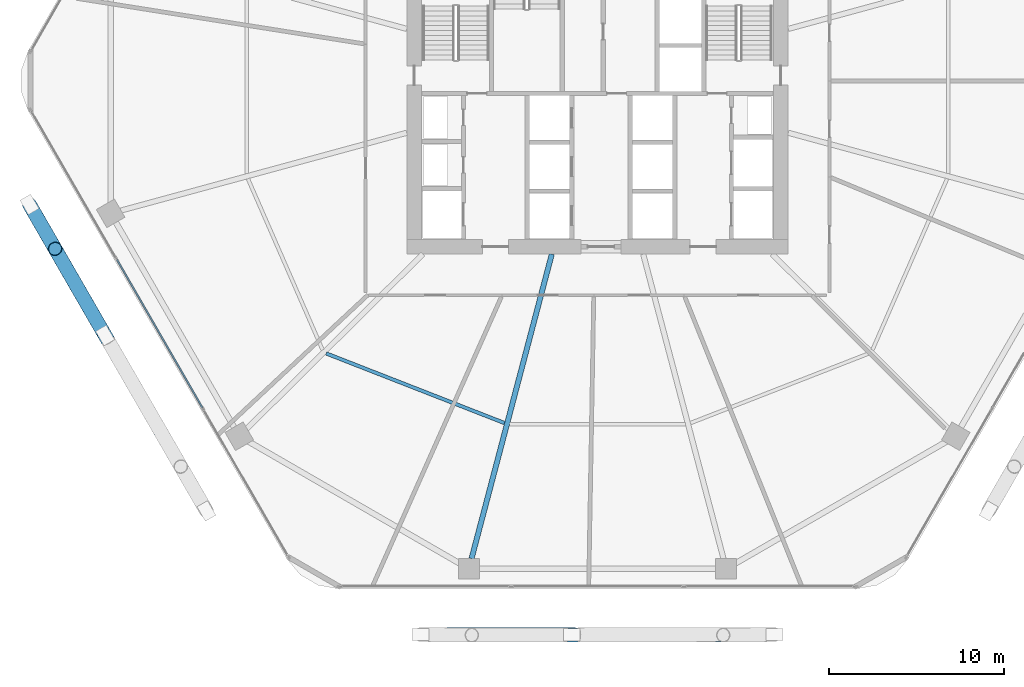
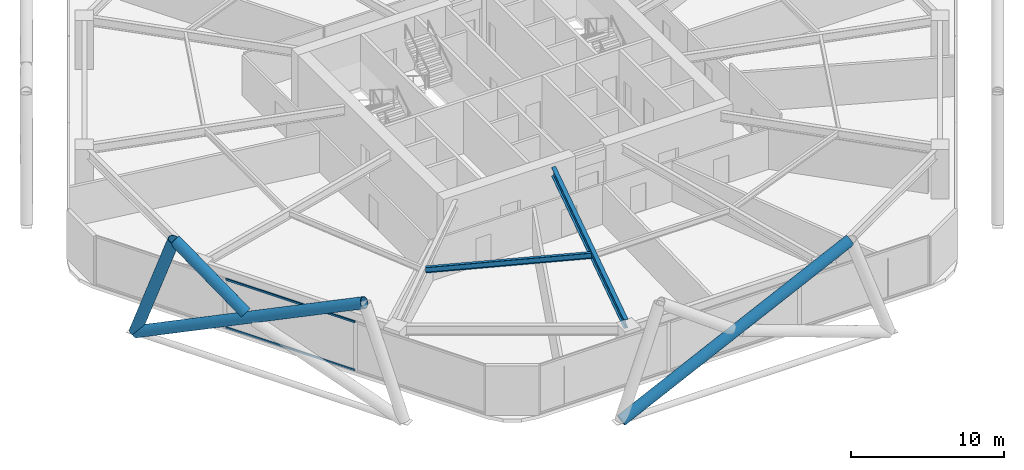
# One storey, part 4 of 28: 6 members, 2 beams, 1 element without a shape of its own.
"""IFC4 building model written with IfcOpenShell, lengths in metres."""

from ifc_helpers import new_model, si_unit, direction, frame, origin, origin_2d, place, context, subcontext, project, spatial, hollow_rectangle, hollow_circle, i_section, extrude, material, material_profile, profile_set, type_object, element, aggregate, save


model = new_model("IFC4")

# Units and contexts
model_context = context("Model", 3, precision=1e-05, world=origin(), true_north=direction((0.0, 1.0)))
body_context = subcontext(model_context, "Body", "Model", "MODEL_VIEW")
ifc_project = project(units=[si_unit("LENGTHUNIT", "METRE"), si_unit("AREAUNIT", "SQUARE_METRE"), si_unit("VOLUMEUNIT", "CUBIC_METRE"), si_unit("PLANEANGLEUNIT", "RADIAN"), si_unit("MASSUNIT", "GRAM", prefix="KILO")], contexts=[model_context])

# Site, building, storey
site_placement = place(None, origin())
site = spatial("IfcSite", under=ifc_project, at=site_placement, CompositionType="ELEMENT")
building_placement = place(site_placement, origin())
building = spatial("IfcBuilding", under=site, at=building_placement, Name="Zuhravey Tower", CompositionType="ELEMENT")
storey_placement = place(building_placement, frame((0.0, 0.0, 75.0)))
storey = spatial("IfcBuildingStorey", under=building, at=storey_placement, Name="L18", CompositionType="ELEMENT", Elevation=75.0)

# Curtain wall, members
ifc_material_1 = material(Name="Thermally broken anodised aluminium", Category="aluminium")
curtain_wall_type = type_object("IfcCurtainWallType", Name="School Low-E Unitised Curtain Wall CW1", PredefinedType="NOTDEFINED", material=ifc_material_1)
curtain_wall_placement = place(storey_placement, origin())
curtain_wall = element("IfcCurtainWall", 1, at=curtain_wall_placement, inside=storey, type_object=curtain_wall_type, Name="L18 CW1 CW-L18-F4-1", PredefinedType="NOTDEFINED")
ifc_material_2 = material(Name="Anodised aluminium", Category="aluminium")
ifc_material_profile_1 = material_profile(ifc_material_2, hollow_rectangle(XDim=0.090087890625, YDim=0.14990234375, WallThickness=0.0048828125, at=origin_2d()), Name="ALU-RHS-90x150x5")
ifc_profile_set_1 = profile_set([ifc_material_profile_1], Name="Anodised aluminium")
member_type_1 = type_object("IfcMemberType", Name="Curtain-Wall Transom 90x150", PredefinedType="USERDEFINED", material=ifc_profile_set_1)
member_1_placement = place(storey_placement, frame((13.365234375, 13.287353515625, 0.044921875), z_axis=(-0.499990498062, 0.866030889661, 0.0), x_axis=(-0.866030889661, -0.499990498062, 0.0)))
member_1 = element("IfcMember", 2, at=member_1_placement, type_object=member_type_1, Name="CW1 transom 2.1", ObjectType="TRANSOM", PredefinedType="USERDEFINED", context=body_context, shape_type="SweptSolid", body=[
    extrude(hollow_rectangle(XDim=0.090087890625, YDim=0.14990234375, WallThickness=0.0048828125, at=origin_2d()), origin(), (0.0, 0.0, 1.0), 9.776611328125),
])
member_2_placement = place(storey_placement, frame((13.365234375, 13.287353515625, 3.875), z_axis=(-0.499990498062, 0.866030889661, 0.0), x_axis=(-0.866030889661, -0.499990498062, 0.0)))
member_2 = element("IfcMember", 3, at=member_2_placement, type_object=member_type_1, Name="CW1 transom 2.2", ObjectType="TRANSOM", PredefinedType="USERDEFINED", context=body_context, shape_type="SweptSolid", body=[
    extrude(hollow_rectangle(XDim=0.090087890625, YDim=0.14990234375, WallThickness=0.0048828125, at=origin_2d()), origin(), (0.0, 0.0, 1.0), 9.776611328125),
])
aggregate(curtain_wall, [member_1, member_2])

# Members
ifc_material_3 = material(Name="Steel SM460", Category="steel")
ifc_material_profile_2 = material_profile(ifc_material_3, hollow_circle(Radius=0.406494140625, WallThickness=0.035888671875, at=origin_2d()), Name="CHS-812.8x36")
ifc_profile_set_2 = profile_set([ifc_material_profile_2], Name="Steel SM460")
member_type_2 = type_object("IfcMemberType", Name="Exoskeleton Zone 1 Diagrid CHS813x36", PredefinedType="BRACE", material=ifc_profile_set_2)
member_3_placement = place(storey_placement, frame((3.466552734375, 24.912841796875, -0.471923828125), z_axis=(0.165307317227, -0.286358046605, 0.943754501984), x_axis=(0.866053660865, 0.499951054106, 0.0)))
element("IfcMember", 4, at=member_3_placement, inside=storey, type_object=member_type_2, Name="L18 Face 4 Diagrid Brace 1", PredefinedType="BRACE", context=body_context, shape_type="SweptSolid", body=[
    extrude(hollow_circle(Radius=0.406494140625, WallThickness=0.035888671875, at=origin_2d()), origin(), (0.0, 0.0, 1.0), 8.85400390625),
])
member_4_placement = place(storey_placement, frame((3.4853515625, 24.880126953125, -0.471923828125), z_axis=(0.449932637588, -0.779312332372, 0.436156978902), x_axis=(0.866027110715, 0.499997043497, 0.0)))
element("IfcMember", 5, at=member_4_placement, inside=storey, type_object=member_type_2, Name="L18 Face 4 Diagrid Brace 2", PredefinedType="BRACE", context=body_context, shape_type="SweptSolid", body=[
    extrude(hollow_circle(Radius=0.406494140625, WallThickness=0.035888671875, at=origin_2d()), origin(), (0.0, 0.0, 1.0), 19.158203125),
])
member_5_placement = place(storey_placement, frame((7.635498046875, 17.69189453125, 3.940673828125), z_axis=(-0.403092056741, 0.69816190232, 0.59168129254), x_axis=(-0.866021056018, -0.500007530476, 0.0)))
element("IfcMember", 6, at=member_5_placement, inside=storey, type_object=member_type_2, Name="L18 Face 4 Split Diagrid Brace 3B", PredefinedType="BRACE", context=body_context, shape_type="SweptSolid", body=[
    extrude(hollow_circle(Radius=0.406494140625, WallThickness=0.035888671875, at=origin_2d()), origin(), (0.0, 0.0, 1.0), 6.6513671875),
])
member_6_placement = place(storey_placement, frame((25.90869140625, 0.281494140625, -0.471923828125), z_axis=(0.899868478448, -0.001567448705, 0.4361585315), x_axis=(0.001741861577, 0.999998482958, 0.0)))
element("IfcMember", 7, at=member_6_placement, inside=storey, type_object=member_type_2, Name="L18 Face 5 Diagrid Brace 2", PredefinedType="BRACE", context=body_context, shape_type="SweptSolid", body=[
    extrude(hollow_circle(Radius=0.406494140625, WallThickness=0.035888671875, at=origin_2d()), origin(), (0.0, 0.0, 1.0), 19.157958984375),
])

# Beams
ifc_material_4 = material(Name="Steel SM355", Category="steel")
ifc_material_profile_3 = material_profile(ifc_material_4, i_section(OverallWidth=0.300048828125, OverallDepth=0.699951171875, WebThickness=0.012939453125, FlangeThickness=0.02392578125, at=origin_2d()), Name="H-700x300x13x24")
ifc_profile_set_3 = profile_set([ifc_material_profile_3], Name="Steel SM355")
beam_type_1 = type_object("IfcBeamType", Name="Radial Primary Girder H700x300", PredefinedType="BEAM", material=ifc_profile_set_3)
beam_1_placement = place(storey_placement, frame((33.382080078125, 22.072021484375, 3.570068359375), z_axis=(-0.254989720435, -0.966943763862, 0.0), x_axis=(0.966943763862, -0.254989720435, 0.0)))
element("IfcBeam", 8, at=beam_1_placement, inside=storey, type_object=beam_type_1, Name="L18 RG1 BM-L18-RAD-09", PredefinedType="BEAM", context=body_context, shape_type="SweptSolid", body=[
    extrude(i_section(OverallWidth=0.300048828125, OverallDepth=0.699951171875, WebThickness=0.012939453125, FlangeThickness=0.02392578125, at=origin_2d()), origin(), (0.0, 0.0, 1.0), 18.03369140625),
])
ifc_material_profile_4 = material_profile(ifc_material_4, i_section(OverallWidth=0.199951171875, OverallDepth=0.449951171875, WebThickness=0.009033203125, FlangeThickness=0.013916015625, at=origin_2d()), Name="H-450x200x9x14")
ifc_profile_set_4 = profile_set([ifc_material_profile_4], Name="Steel SM355")
beam_type_2 = type_object("IfcBeamType", Name="Secondary Floor Joist H450x200", PredefinedType="JOIST", material=ifc_profile_set_4)
beam_2_placement = place(storey_placement, frame((20.4599609375, 16.38427734375, 3.695068359375), z_axis=(0.931516535886, -0.363698973562, 0.0), x_axis=(0.363698973562, 0.931516535886, 0.0)))
element("IfcBeam", 9, at=beam_2_placement, inside=storey, type_object=beam_type_2, Name="L18 SJ1 BM-L18-SJ-08-1", PredefinedType="JOIST", context=body_context, shape_type="SweptSolid", body=[
    extrude(i_section(OverallWidth=0.199951171875, OverallDepth=0.449951171875, WebThickness=0.009033203125, FlangeThickness=0.013916015625, at=origin_2d()), origin(), (0.0, 0.0, 1.0), 10.963134765625),
])

save(model, "model.ifc")
